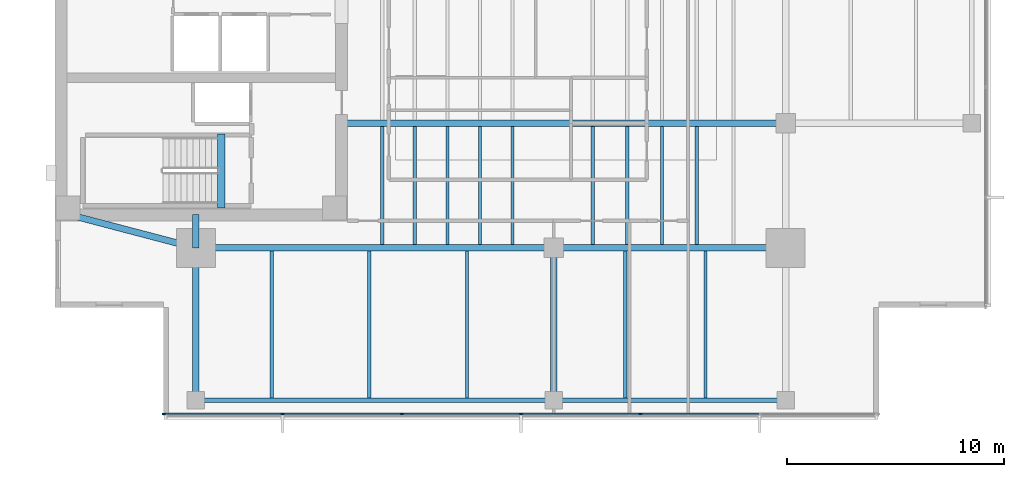
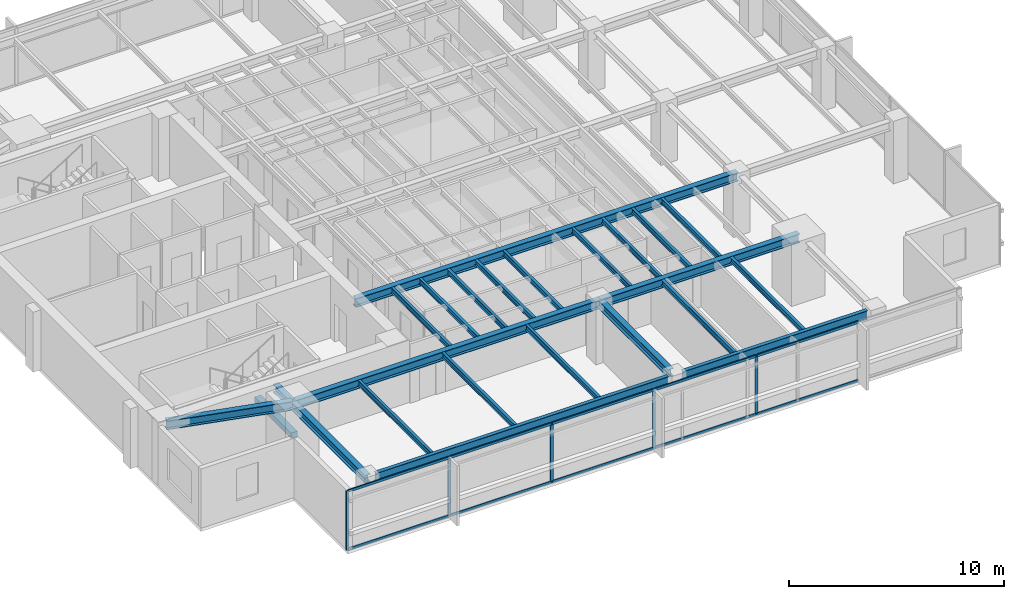
# One storey, part 2 of 15: 24 beams, 15 members, 1 element without a shape of its own.
"""IFC4 building model written with IfcOpenShell, lengths in metres."""

from ifc_helpers import new_model, si_unit, direction, frame, origin, origin_2d, place, context, subcontext, project, spatial, rectangle, i_section, extrude, material, layer, layer_set, material_profile, profile_set, type_object, element, aggregate, save


model = new_model("IFC4")

# Units and contexts
model_context = context("Model", 3, precision=1e-05, world=origin(), true_north=direction((0.0, 1.0)))
body_context = subcontext(model_context, "Body", "Model", "MODEL_VIEW")
ifc_project = project(units=[si_unit("LENGTHUNIT", "METRE"), si_unit("AREAUNIT", "SQUARE_METRE"), si_unit("VOLUMEUNIT", "CUBIC_METRE"), si_unit("PLANEANGLEUNIT", "RADIAN"), si_unit("MASSUNIT", "GRAM", prefix="KILO")], contexts=[model_context])

# Site, building, storey
site_placement = place(None, origin())
site = spatial("IfcSite", under=ifc_project, at=site_placement, CompositionType="ELEMENT")
building_placement = place(site_placement, origin())
building = spatial("IfcBuilding", under=site, at=building_placement, Name="Kinhvarn Gate Tower", CompositionType="ELEMENT")
storey_placement = place(building_placement, frame((0.0, 0.0, 220.0)))
storey = spatial("IfcBuildingStorey", under=building, at=storey_placement, Name="L58", CompositionType="ELEMENT", Elevation=220.0)

# Beam
ifc_material_1 = material(Name="Concrete C50/60", Category="concrete")
ifc_material_profile_1 = material_profile(ifc_material_1, rectangle(XDim=0.340087890625, YDim=0.320068359375, at=origin_2d()), Name="RC 340x320")
ifc_profile_set_1 = profile_set([ifc_material_profile_1], Name="Concrete C50/60")
beam_type_1 = type_object("IfcBeamType", Name="BM-LND-500", PredefinedType="BEAM", material=ifc_profile_set_1)
beam_1_placement = place(storey_placement, frame((12.1650390625, 14.60009765625, -0.159912109375), z_axis=(0.0, 1.0, 0.0), x_axis=(-1.0, 0.0, 0.0)))
element("IfcBeam", 1, at=beam_1_placement, inside=storey, type_object=beam_type_1, Name="Stair ST1 Landing Nosing Beam (L58)", PredefinedType="BEAM", context=body_context, shape_type="SweptSolid", body=[
    extrude(rectangle(XDim=0.340087890625, YDim=0.320068359375, at=origin_2d()), origin(), (0.0, 0.0, 1.0), 3.39990234375),
])

# Curtain wall, members
ifc_material_2 = material(Name="Anodised aluminium AW-6063", Category="aluminium")
ifc_layer = layer(ifc_material_2, 0.179931640625)
ifc_layer_set = layer_set([ifc_layer], Name="Anodised aluminium AW-6063")
curtain_wall_type = type_object("IfcCurtainWallType", Name="CW-SYS-3", PredefinedType="NOTDEFINED", material=ifc_layer_set)
curtain_wall_placement = place(storey_placement, origin())
curtain_wall = element("IfcCurtainWall", 2, at=curtain_wall_placement, inside=storey, type_object=curtain_wall_type, Name="Curtain Wall CW3 (L58)", PredefinedType="NOTDEFINED")
ifc_material_profile_2 = material_profile(ifc_material_2, rectangle(XDim=0.06494140625, YDim=0.159912109375, at=origin_2d()), Name="ALU 65x160")
ifc_profile_set_2 = profile_set([ifc_material_profile_2], Name="Anodised aluminium AW-6063")
member_type_1 = type_object("IfcMemberType", Name="CW-MUL-160", PredefinedType="MULLION", material=ifc_profile_set_2)
member_1_placement = place(storey_placement, frame((9.532470703125, 5.090087890625, 0.0), z_axis=(0.0, 0.0, 1.0), x_axis=(0.0, 1.0, 0.0)))
member_1 = element("IfcMember", 3, at=member_1_placement, type_object=member_type_1, Name="CW3 mullion 1", PredefinedType="MULLION", context=body_context, shape_type="SweptSolid", body=[
    extrude(rectangle(XDim=0.06494140625, YDim=0.159912109375, at=origin_2d()), origin(), (0.0, 0.0, 1.0), 3.3701171875),
])
member_2_placement = place(storey_placement, frame((15.0, 5.090087890625, 0.0), z_axis=(0.0, 0.0, 1.0), x_axis=(0.0, 1.0, 0.0)))
member_2 = element("IfcMember", 4, at=member_2_placement, type_object=member_type_1, Name="CW3 mullion 2", PredefinedType="MULLION", context=body_context, shape_type="SweptSolid", body=[
    extrude(rectangle(XDim=0.06494140625, YDim=0.159912109375, at=origin_2d()), origin(), (0.0, 0.0, 1.0), 3.3701171875),
])
member_3_placement = place(storey_placement, frame((20.5, 5.090087890625, 0.0), z_axis=(0.0, 0.0, 1.0), x_axis=(0.0, 1.0, 0.0)))
member_3 = element("IfcMember", 5, at=member_3_placement, type_object=member_type_1, Name="CW3 mullion 3", PredefinedType="MULLION", context=body_context, shape_type="SweptSolid", body=[
    extrude(rectangle(XDim=0.06494140625, YDim=0.159912109375, at=origin_2d()), origin(), (0.0, 0.0, 1.0), 3.3701171875),
])
member_4_placement = place(storey_placement, frame((26.0, 5.090087890625, 0.0), z_axis=(0.0, 0.0, 1.0), x_axis=(0.0, 1.0, 0.0)))
member_4 = element("IfcMember", 6, at=member_4_placement, type_object=member_type_1, Name="CW3 mullion 4", PredefinedType="MULLION", context=body_context, shape_type="SweptSolid", body=[
    extrude(rectangle(XDim=0.06494140625, YDim=0.159912109375, at=origin_2d()), origin(), (0.0, 0.0, 1.0), 3.3701171875),
])
member_5_placement = place(storey_placement, frame((31.5, 5.090087890625, 0.0), z_axis=(0.0, 0.0, 1.0), x_axis=(0.0, 1.0, 0.0)))
member_5 = element("IfcMember", 7, at=member_5_placement, type_object=member_type_1, Name="CW3 mullion 5", PredefinedType="MULLION", context=body_context, shape_type="SweptSolid", body=[
    extrude(rectangle(XDim=0.06494140625, YDim=0.159912109375, at=origin_2d()), origin(), (0.0, 0.0, 1.0), 3.3701171875),
])
ifc_material_profile_3 = material_profile(ifc_material_2, rectangle(XDim=0.070068359375, YDim=0.139892578125, at=origin_2d()), Name="ALU 70x140")
ifc_profile_set_3 = profile_set([ifc_material_profile_3], Name="Anodised aluminium AW-6063")
member_type_2 = type_object("IfcMemberType", Name="CW-TRN-140", PredefinedType="USERDEFINED", material=ifc_profile_set_3)
member_6_placement = place(storey_placement, frame((9.56494140625, 5.090087890625, 0.034912109375), z_axis=(1.0, 0.0, 0.0), x_axis=(0.0, 1.0, 0.0)))
member_6 = element("IfcMember", 8, at=member_6_placement, type_object=member_type_2, Name="CW3 transom 1.1", ObjectType="TRANSOM", PredefinedType="USERDEFINED", context=body_context, shape_type="SweptSolid", body=[
    extrude(rectangle(XDim=0.070068359375, YDim=0.139892578125, at=origin_2d()), origin(), (0.0, 0.0, 1.0), 5.402587890625),
])
member_7_placement = place(storey_placement, frame((9.56494140625, 5.090087890625, 3.3349609375), z_axis=(1.0, 0.0, 0.0), x_axis=(0.0, 1.0, 0.0)))
member_7 = element("IfcMember", 9, at=member_7_placement, type_object=member_type_2, Name="CW3 transom 1.2", ObjectType="TRANSOM", PredefinedType="USERDEFINED", context=body_context, shape_type="SweptSolid", body=[
    extrude(rectangle(XDim=0.070068359375, YDim=0.139892578125, at=origin_2d()), origin(), (0.0, 0.0, 1.0), 5.402587890625),
])
member_8_placement = place(storey_placement, frame((15.032470703125, 5.090087890625, 0.034912109375), z_axis=(1.0, 0.0, 0.0), x_axis=(0.0, 1.0, 0.0)))
member_8 = element("IfcMember", 10, at=member_8_placement, type_object=member_type_2, Name="CW3 transom 2.1", ObjectType="TRANSOM", PredefinedType="USERDEFINED", context=body_context, shape_type="SweptSolid", body=[
    extrude(rectangle(XDim=0.070068359375, YDim=0.139892578125, at=origin_2d()), origin(), (0.0, 0.0, 1.0), 5.43505859375),
])
member_9_placement = place(storey_placement, frame((15.032470703125, 5.090087890625, 3.3349609375), z_axis=(1.0, 0.0, 0.0), x_axis=(0.0, 1.0, 0.0)))
member_9 = element("IfcMember", 11, at=member_9_placement, type_object=member_type_2, Name="CW3 transom 2.2", ObjectType="TRANSOM", PredefinedType="USERDEFINED", context=body_context, shape_type="SweptSolid", body=[
    extrude(rectangle(XDim=0.070068359375, YDim=0.139892578125, at=origin_2d()), origin(), (0.0, 0.0, 1.0), 5.43505859375),
])
member_10_placement = place(storey_placement, frame((20.532470703125, 5.090087890625, 0.034912109375), z_axis=(1.0, 0.0, 0.0), x_axis=(0.0, 1.0, 0.0)))
member_10 = element("IfcMember", 12, at=member_10_placement, type_object=member_type_2, Name="CW3 transom 3.1", ObjectType="TRANSOM", PredefinedType="USERDEFINED", context=body_context, shape_type="SweptSolid", body=[
    extrude(rectangle(XDim=0.070068359375, YDim=0.139892578125, at=origin_2d()), origin(), (0.0, 0.0, 1.0), 5.43505859375),
])
member_11_placement = place(storey_placement, frame((20.532470703125, 5.090087890625, 3.3349609375), z_axis=(1.0, 0.0, 0.0), x_axis=(0.0, 1.0, 0.0)))
member_11 = element("IfcMember", 13, at=member_11_placement, type_object=member_type_2, Name="CW3 transom 3.2", ObjectType="TRANSOM", PredefinedType="USERDEFINED", context=body_context, shape_type="SweptSolid", body=[
    extrude(rectangle(XDim=0.070068359375, YDim=0.139892578125, at=origin_2d()), origin(), (0.0, 0.0, 1.0), 5.43505859375),
])
member_12_placement = place(storey_placement, frame((26.032470703125, 5.090087890625, 0.034912109375), z_axis=(1.0, 0.0, 0.0), x_axis=(0.0, 1.0, 0.0)))
member_12 = element("IfcMember", 14, at=member_12_placement, type_object=member_type_2, Name="CW3 transom 4.1", ObjectType="TRANSOM", PredefinedType="USERDEFINED", context=body_context, shape_type="SweptSolid", body=[
    extrude(rectangle(XDim=0.070068359375, YDim=0.139892578125, at=origin_2d()), origin(), (0.0, 0.0, 1.0), 5.43505859375),
])
member_13_placement = place(storey_placement, frame((26.032470703125, 5.090087890625, 3.3349609375), z_axis=(1.0, 0.0, 0.0), x_axis=(0.0, 1.0, 0.0)))
member_13 = element("IfcMember", 15, at=member_13_placement, type_object=member_type_2, Name="CW3 transom 4.2", ObjectType="TRANSOM", PredefinedType="USERDEFINED", context=body_context, shape_type="SweptSolid", body=[
    extrude(rectangle(XDim=0.070068359375, YDim=0.139892578125, at=origin_2d()), origin(), (0.0, 0.0, 1.0), 5.43505859375),
])
member_14_placement = place(storey_placement, frame((31.532470703125, 5.090087890625, 0.034912109375), z_axis=(1.0, 0.0, 0.0), x_axis=(0.0, 1.0, 0.0)))
member_14 = element("IfcMember", 16, at=member_14_placement, type_object=member_type_2, Name="CW3 transom 5.1", ObjectType="TRANSOM", PredefinedType="USERDEFINED", context=body_context, shape_type="SweptSolid", body=[
    extrude(rectangle(XDim=0.070068359375, YDim=0.139892578125, at=origin_2d()), origin(), (0.0, 0.0, 1.0), 5.43505859375),
])
member_15_placement = place(storey_placement, frame((31.532470703125, 5.090087890625, 3.3349609375), z_axis=(1.0, 0.0, 0.0), x_axis=(0.0, 1.0, 0.0)))
member_15 = element("IfcMember", 17, at=member_15_placement, type_object=member_type_2, Name="CW3 transom 5.2", ObjectType="TRANSOM", PredefinedType="USERDEFINED", context=body_context, shape_type="SweptSolid", body=[
    extrude(rectangle(XDim=0.070068359375, YDim=0.139892578125, at=origin_2d()), origin(), (0.0, 0.0, 1.0), 5.43505859375),
])
aggregate(curtain_wall, [member_1, member_2, member_3, member_4, member_5, member_6, member_7, member_8, member_9, member_10, member_11, member_12, member_13, member_14, member_15])

# Beams
ifc_material_3 = material(Name="Steel S355", Category="steel")
ifc_material_profile_4 = material_profile(ifc_material_3, i_section(OverallWidth=0.300048828125, OverallDepth=0.449951171875, WebThickness=0.013916015625, FlangeThickness=0.02587890625, at=origin_2d()), Name="HEB 450")
ifc_profile_set_4 = profile_set([ifc_material_profile_4], Name="Steel S355")
beam_type_2 = type_object("IfcBeamType", Name="STL-HEB450", PredefinedType="BEAM", material=ifc_profile_set_4)
beam_2_placement = place(storey_placement, frame((11.0, 5.719970703125, 3.14501953125), z_axis=(0.0, 1.0, 0.0), x_axis=(-1.0, 0.0, 0.0)))
element("IfcBeam", 18, at=beam_2_placement, inside=storey, type_object=beam_type_2, Name="Floor Beam PG-13 (L58 MCW-S)", PredefinedType="BEAM", context=body_context, shape_type="SweptSolid", body=[
    extrude(i_section(OverallWidth=0.300048828125, OverallDepth=0.449951171875, WebThickness=0.013916015625, FlangeThickness=0.02587890625, at=origin_2d()), origin(), (0.0, 0.0, 1.0), 7.030029296875),
])
beam_3_placement = place(storey_placement, frame((11.0, 12.75, 3.14501953125), z_axis=(0.0, 1.0, 0.0), x_axis=(-1.0, 0.0, 0.0)))
element("IfcBeam", 19, at=beam_3_placement, inside=storey, type_object=beam_type_2, Name="Floor Beam PG-13 (L58 MCW-CS)", PredefinedType="BEAM", context=body_context, shape_type="SweptSolid", body=[
    extrude(i_section(OverallWidth=0.300048828125, OverallDepth=0.449951171875, WebThickness=0.013916015625, FlangeThickness=0.02587890625, at=origin_2d()), origin(), (0.0, 0.0, 1.0), 1.550048828125),
])
beam_4_placement = place(storey_placement, frame((27.5, 6.10498046875, 3.14501953125), z_axis=(0.0, 1.0, 0.0), x_axis=(-1.0, 0.0, 0.0)))
element("IfcBeam", 20, at=beam_4_placement, inside=storey, type_object=beam_type_2, Name="Floor Beam PG-13 (L58 SP27-S-TIE)", PredefinedType="BEAM", context=body_context, shape_type="SweptSolid", body=[
    extrude(i_section(OverallWidth=0.300048828125, OverallDepth=0.449951171875, WebThickness=0.013916015625, FlangeThickness=0.02587890625, at=origin_2d()), origin(), (0.0, 0.0, 1.0), 6.64501953125),
])
ifc_material_profile_5 = material_profile(ifc_material_3, i_section(OverallWidth=0.300048828125, OverallDepth=0.5, WebThickness=0.014404296875, FlangeThickness=0.028076171875, at=origin_2d()), Name="HEB 500")
ifc_profile_set_5 = profile_set([ifc_material_profile_5], Name="Steel S355")
beam_type_3 = type_object("IfcBeamType", Name="STL-HEB500", PredefinedType="BEAM", material=ifc_profile_set_5)
beam_5_placement = place(storey_placement, frame((11.0, 12.75, 3.1201171875), z_axis=(1.0, 0.0, 0.0), x_axis=(0.0, 1.0, 0.0)))
element("IfcBeam", 21, at=beam_5_placement, inside=storey, type_object=beam_type_3, Name="Floor Beam PG-14 (L58 MG-S1)", PredefinedType="BEAM", context=body_context, shape_type="SweptSolid", body=[
    extrude(i_section(OverallWidth=0.300048828125, OverallDepth=0.5, WebThickness=0.014404296875, FlangeThickness=0.028076171875, at=origin_2d()), origin(), (0.0, 0.0, 1.0), 16.5),
])
beam_6_placement = place(storey_placement, frame((27.5, 12.75, 3.1201171875), z_axis=(1.0, 0.0, 0.0), x_axis=(0.0, 1.0, 0.0)))
element("IfcBeam", 22, at=beam_6_placement, inside=storey, type_object=beam_type_3, Name="Floor Beam PG-14 (L58 MG-S2)", PredefinedType="BEAM", context=body_context, shape_type="SweptSolid", body=[
    extrude(i_section(OverallWidth=0.300048828125, OverallDepth=0.5, WebThickness=0.014404296875, FlangeThickness=0.028076171875, at=origin_2d()), origin(), (0.0, 0.0, 1.0), 10.699951171875),
])
beam_7_placement = place(storey_placement, frame((5.10009765625, 14.300048828125, 3.1201171875), z_axis=(0.967177623957, -0.254101246979, 0.0), x_axis=(0.254101246979, 0.967177623957, 0.0)))
element("IfcBeam", 23, at=beam_7_placement, inside=storey, type_object=beam_type_3, Name="Floor Beam PG-14 (L58 MG-SW-DIAG)", PredefinedType="BEAM", context=body_context, shape_type="SweptSolid", body=[
    extrude(i_section(OverallWidth=0.300048828125, OverallDepth=0.5, WebThickness=0.014404296875, FlangeThickness=0.028076171875, at=origin_2d()), origin(), (0.0, 0.0, 1.0), 6.10009765625),
])
beam_8_placement = place(storey_placement, frame((17.64990234375, 18.5, 3.1201171875), z_axis=(1.0, 0.0, 0.0), x_axis=(0.0, 1.0, 0.0)))
element("IfcBeam", 24, at=beam_8_placement, inside=storey, type_object=beam_type_3, Name="Floor Beam PG-14 (L58 EW1-Y18)", PredefinedType="BEAM", context=body_context, shape_type="SweptSolid", body=[
    extrude(i_section(OverallWidth=0.300048828125, OverallDepth=0.5, WebThickness=0.014404296875, FlangeThickness=0.028076171875, at=origin_2d()), origin(), (0.0, 0.0, 1.0), 20.550048828125),
])
ifc_material_profile_6 = material_profile(ifc_material_3, i_section(OverallWidth=0.14990234375, OverallDepth=0.300048828125, WebThickness=0.007080078125, FlangeThickness=0.0107421875, at=origin_2d()), Name="IPE 300")
ifc_profile_set_6 = profile_set([ifc_material_profile_6], Name="Steel S355")
beam_type_4 = type_object("IfcBeamType", Name="STL-IPE300", PredefinedType="JOIST", material=ifc_profile_set_6)
for number, where, z_axis, x_axis, name in (
    (25, (19.60009765625, 12.89990234375, 3.219970703125), (0.0, 1.0, 0.0), (-1.0, 0.0, 0.0), "Floor Joist SB-02 (L58 JC-X196-0)"),
    (26, (21.10009765625, 12.89990234375, 3.219970703125), (0.0, 1.0, 0.0), (-1.0, 0.0, 0.0), "Floor Joist SB-02 (L58 JC-X211-0)"),
    (27, (22.60009765625, 12.89990234375, 3.219970703125), (0.0, 1.0, 0.0), (-1.0, 0.0, 0.0), "Floor Joist SB-02 (L58 JC-X226-0)"),
    (28, (24.10009765625, 12.89990234375, 3.219970703125), (0.0, 1.0, 0.0), (-1.0, 0.0, 0.0), "Floor Joist SB-02 (L58 JC-X241-0)"),
    (29, (25.60009765625, 12.89990234375, 3.219970703125), (0.0, 1.0, 0.0), (-1.0, 0.0, 0.0), "Floor Joist SB-02 (L58 JC-X256-0)"),
    (30, (29.300048828125, 12.89990234375, 3.219970703125), (0.0, 1.0, 0.0), (-1.0, 0.0, 0.0), "Floor Joist SB-02 (L58 JC-X293-0)"),
    (31, (30.89990234375, 12.89990234375, 3.219970703125), (0.0, 1.0, 0.0), (-1.0, 0.0, 0.0), "Floor Joist SB-02 (L58 JC-X309-0)"),
    (32, (32.5, 12.89990234375, 3.219970703125), (0.0, 1.0, 0.0), (-1.0, 0.0, 0.0), "Floor Joist SB-02 (L58 JC-X325-0)"),
    (33, (34.10009765625, 12.89990234375, 3.219970703125), (0.0, 1.0, 0.0), (-1.0, 0.0, 0.0), "Floor Joist SB-02 (L58 JC-X341-0)"),
):
    element("IfcBeam", number, at=place(storey_placement, frame(where, z_axis=z_axis, x_axis=x_axis)), inside=storey, type_object=beam_type_4, Name=name, PredefinedType="JOIST", context=body_context, shape_type="SweptSolid", body=[
        extrude(i_section(OverallWidth=0.14990234375, OverallDepth=0.300048828125, WebThickness=0.007080078125, FlangeThickness=0.0107421875, at=origin_2d()), origin(), (0.0, 0.0, 1.0), 5.4501953125),
    ])
for number, where, z_axis, x_axis, name in (
    (34, (14.5, 5.820068359375, 3.219970703125), (0.0, 1.0, 0.0), (-1.0, 0.0, 0.0), "Floor Joist SB-02 (L58 JS-X145)"),
    (35, (19.0, 5.820068359375, 3.219970703125), (0.0, 1.0, 0.0), (-1.0, 0.0, 0.0), "Floor Joist SB-02 (L58 JS-X190)"),
    (36, (23.5, 5.820068359375, 3.219970703125), (0.0, 1.0, 0.0), (-1.0, 0.0, 0.0), "Floor Joist SB-02 (L58 JS-X235)"),
    (37, (30.800048828125, 5.820068359375, 3.219970703125), (0.0, 1.0, 0.0), (-1.0, 0.0, 0.0), "Floor Joist SB-02 (L58 JS-X308)"),
    (38, (34.5, 5.820068359375, 3.219970703125), (0.0, 1.0, 0.0), (-1.0, 0.0, 0.0), "Floor Joist SB-02 (L58 JS-X345)"),
):
    element("IfcBeam", number, at=place(storey_placement, frame(where, z_axis=z_axis, x_axis=x_axis)), inside=storey, type_object=beam_type_4, Name=name, PredefinedType="JOIST", context=body_context, shape_type="SweptSolid", body=[
        extrude(i_section(OverallWidth=0.14990234375, OverallDepth=0.300048828125, WebThickness=0.007080078125, FlangeThickness=0.0107421875, at=origin_2d()), origin(), (0.0, 0.0, 1.0), 6.780029296875),
    ])
ifc_material_profile_7 = material_profile(ifc_material_3, i_section(OverallWidth=0.199951171875, OverallDepth=0.5, WebThickness=0.01025390625, FlangeThickness=0.01611328125, at=origin_2d()), Name="IPE 500")
ifc_profile_set_7 = profile_set([ifc_material_profile_7], Name="Steel S355")
beam_type_5 = type_object("IfcBeamType", Name="STL-IPE500", PredefinedType="SPANDREL", material=ifc_profile_set_7)
beam_9_placement = place(storey_placement, frame((11.385009765625, 5.719970703125, 3.1201171875), z_axis=(1.0, 0.0, 0.0), x_axis=(0.0, 1.0, 0.0)))
element("IfcBeam", 39, at=beam_9_placement, inside=storey, type_object=beam_type_5, Name="Floor Spandrel SB-07 (L58 SP-S1)", PredefinedType="SPANDREL", context=body_context, shape_type="SweptSolid", body=[
    extrude(i_section(OverallWidth=0.199951171875, OverallDepth=0.5, WebThickness=0.01025390625, FlangeThickness=0.01611328125, at=origin_2d()), origin(), (0.0, 0.0, 1.0), 15.72998046875),
])
beam_10_placement = place(storey_placement, frame((27.885009765625, 5.719970703125, 3.1201171875), z_axis=(1.0, 0.0, 0.0), x_axis=(0.0, 1.0, 0.0)))
element("IfcBeam", 40, at=beam_10_placement, inside=storey, type_object=beam_type_5, Name="Floor Spandrel SB-07 (L58 SP-S2)", PredefinedType="SPANDREL", context=body_context, shape_type="SweptSolid", body=[
    extrude(i_section(OverallWidth=0.199951171875, OverallDepth=0.5, WebThickness=0.01025390625, FlangeThickness=0.01611328125, at=origin_2d()), origin(), (0.0, 0.0, 1.0), 9.929931640625),
])

save(model, "model.ifc")
